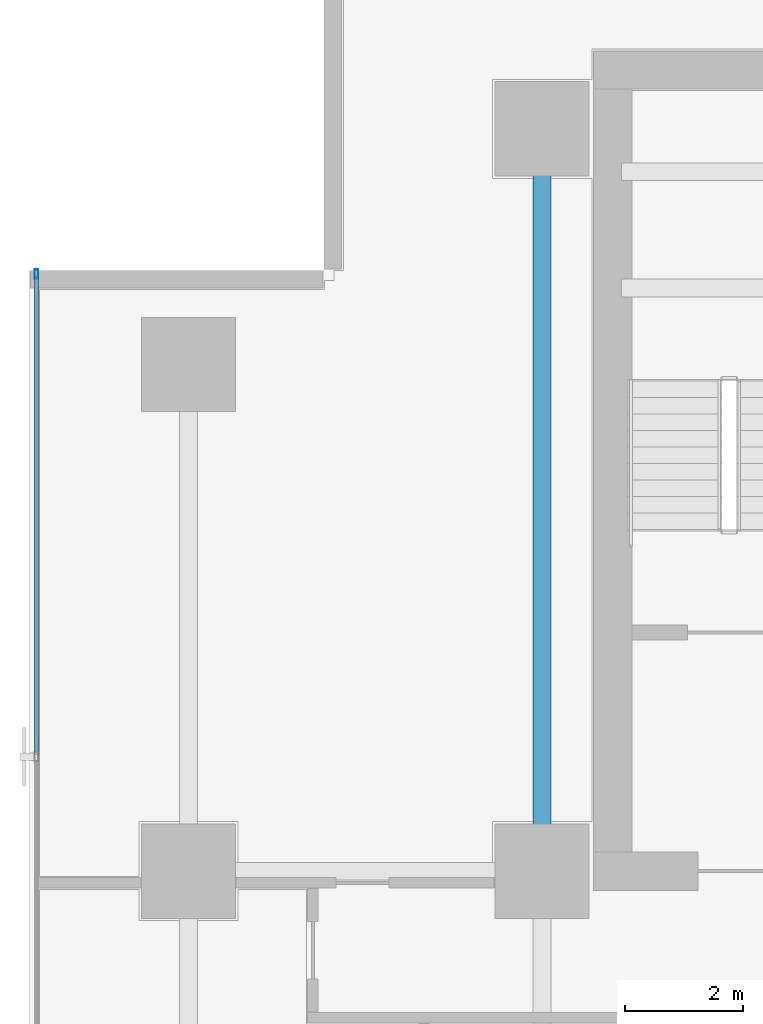
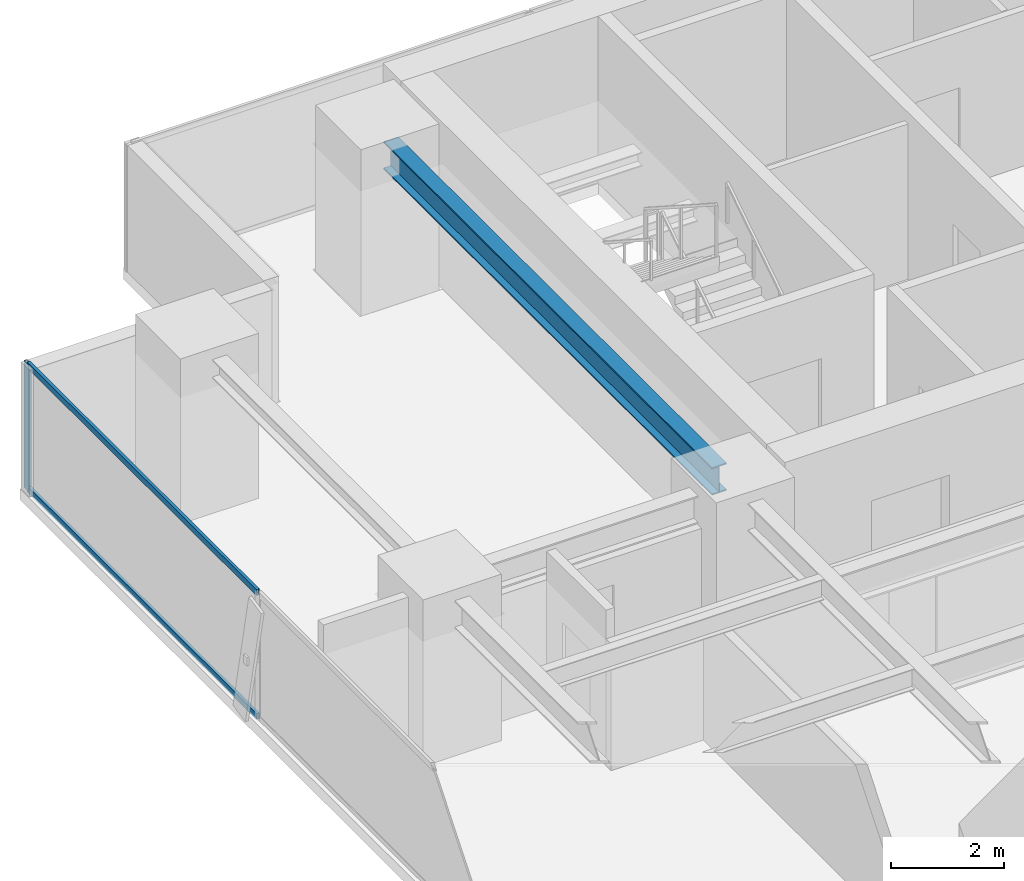
# One storey, part 18 of 36: 3 members, 1 beam, 1 element without a shape of its own.
"""IFC4 building model written with IfcOpenShell, lengths in metres."""

from ifc_helpers import new_model, si_unit, direction, frame, origin, origin_2d, place, context, subcontext, project, spatial, hollow_rectangle, i_section, extrude, source, transform, mapped, material, layer, layer_set, material_profile, profile_set, type_object, element, aggregate, save


model = new_model("IFC4")

# Units and contexts
model_context = context("Model", 3, precision=1e-05, world=origin(), true_north=direction((0.0, 1.0)))
body_context = subcontext(model_context, "Body", "Model", "MODEL_VIEW")
ifc_project = project(units=[si_unit("LENGTHUNIT", "METRE"), si_unit("AREAUNIT", "SQUARE_METRE"), si_unit("VOLUMEUNIT", "CUBIC_METRE"), si_unit("PLANEANGLEUNIT", "RADIAN"), si_unit("MASSUNIT", "GRAM", prefix="KILO")], contexts=[model_context])

# Site, building, storey
site_placement = place(None, origin())
site = spatial("IfcSite", under=ifc_project, at=site_placement, CompositionType="ELEMENT")
building_placement = place(site_placement, origin())
building = spatial("IfcBuilding", under=site, at=building_placement, Name="Sumidabori Civic Tower", CompositionType="ELEMENT")
storey_placement = place(building_placement, frame((0.0, 0.0, 113.60009765625)))
storey = spatial("IfcBuildingStorey", under=building, at=storey_placement, Name="L29", CompositionType="ELEMENT", Elevation=113.60009765625)

# Beam
ifc_material_1 = material(Name="Steel SN490", Category="steel")
ifc_material_profile_1 = material_profile(ifc_material_1, i_section(OverallWidth=0.300048828125, OverallDepth=0.60009765625, WebThickness=0.015380859375, FlangeThickness=0.030029296875, at=origin_2d()), Name="HE 600 B")
ifc_profile_set_1 = profile_set([ifc_material_profile_1], Name="Steel SN490")
beam_type = type_object("IfcBeamType", Name="BM-GIRD-600", PredefinedType="BEAM", material=ifc_profile_set_1)
shared_shape_1 = source(origin(), body_context, "Body", "SweptSolid", [
    extrude(i_section(OverallWidth=0.300048828125, OverallDepth=0.60009765625, WebThickness=0.015380859375, FlangeThickness=0.030029296875, at=origin_2d()), origin(), (0.0, 0.0, 1.0), 11.64013671875),
])
beam_placement = place(storey_placement, frame((-16.800048828125, 10.679931640625, 3.059814453125), z_axis=(0.0, 1.0, 0.0), x_axis=(-1.0, 0.0, 0.0)))
element("IfcBeam", 1, at=beam_placement, inside=storey, type_object=beam_type, Name="Primary Girder L29 GY-28", PredefinedType="BEAM", context=body_context, shape_type="MappedRepresentation", body=[
    mapped(shared_shape_1, transform((0.0, 0.0, 0.0), x_axis=(1.0, 0.0, 0.0), y_axis=(0.0, 1.0, 0.0), z_axis=(0.0, 0.0, 1.0), scale=1.0)),
])

# Curtain wall, members
ifc_material_2 = material(Name="Anodised Bronze Aluminium AW-6063-T6", Category="aluminium")
ifc_layer = layer(ifc_material_2, 0.179931640625, Name="Anodised Bronze Aluminium AW-6063-T6")
ifc_layer_set = layer_set([ifc_layer], Name="Anodised Bronze Aluminium AW-6063-T6")
curtain_wall_type = type_object("IfcCurtainWallType", Name="CW-SYS-3", PredefinedType="NOTDEFINED", material=ifc_layer_set)
curtain_wall_placement = place(storey_placement, origin())
curtain_wall = element("IfcCurtainWall", 2, at=curtain_wall_placement, inside=storey, type_object=curtain_wall_type, Name="Curtain Wall CW:L29:R10", PredefinedType="NOTDEFINED")
ifc_material_profile_2 = material_profile(ifc_material_2, hollow_rectangle(XDim=0.06494140625, YDim=0.159912109375, WallThickness=0.0048828125, at=origin_2d()), Name="ALU MULLION 160x65")
ifc_profile_set_2 = profile_set([ifc_material_profile_2], Name="Anodised Bronze Aluminium AW-6063-T6")
member_type_1 = type_object("IfcMemberType", Name="CW-MUL-160", PredefinedType="MULLION", material=ifc_profile_set_2)
shared_shape_2 = source(origin(), body_context, "Body", "SweptSolid", [
    extrude(hollow_rectangle(XDim=0.06494140625, YDim=0.159912109375, WallThickness=0.0048828125, at=origin_2d()), origin(), (0.0, 0.0, 1.0), 2.739990234375),
])
member_1_placement = place(storey_placement, frame((-25.3798828125, 20.33740234375, 0.0), z_axis=(0.0, 0.0, 1.0), x_axis=(1.0, 0.0, 0.0)))
member_1 = element("IfcMember", 3, at=member_1_placement, type_object=member_type_1, Name="CW-3 mullion 1", PredefinedType="MULLION", context=body_context, shape_type="MappedRepresentation", body=[
    mapped(shared_shape_2, transform((0.0, 0.0, 0.0), x_axis=(1.0, 0.0, 0.0), y_axis=(0.0, 1.0, 0.0), z_axis=(0.0, 0.0, 1.0), scale=1.0)),
])
ifc_material_profile_3 = material_profile(ifc_material_2, hollow_rectangle(XDim=0.06005859375, YDim=0.1298828125, WallThickness=0.0048828125, at=origin_2d()), Name="ALU TRANSOM 130x60")
ifc_profile_set_3 = profile_set([ifc_material_profile_3], Name="Anodised Bronze Aluminium AW-6063-T6")
member_type_2 = type_object("IfcMemberType", Name="CW-TRN-130", PredefinedType="USERDEFINED", material=ifc_profile_set_3)
shared_shape_3 = source(origin(), body_context, "Body", "SweptSolid", [
    extrude(hollow_rectangle(XDim=0.06005859375, YDim=0.1298828125, WallThickness=0.0048828125, at=origin_2d()), origin(), (0.0, 0.0, 1.0), 8.13037109375),
])
member_2_placement = place(storey_placement, frame((-25.3798828125, 20.304931640625, 0.02978515625), z_axis=(0.0, -1.0, 0.0), x_axis=(1.0, 0.0, 0.0)))
member_2 = element("IfcMember", 4, at=member_2_placement, type_object=member_type_2, Name="CW-3 transom 1.1", ObjectType="TRANSOM", PredefinedType="USERDEFINED", context=body_context, shape_type="MappedRepresentation", body=[
    mapped(shared_shape_3, transform((0.0, 0.0, 0.0), x_axis=(1.0, 0.0, 0.0), y_axis=(0.0, 1.0, 0.0), z_axis=(0.0, 0.0, 1.0), scale=1.0)),
])
member_3_placement = place(storey_placement, frame((-25.3798828125, 20.304931640625, 2.7099609375), z_axis=(0.0, -1.0, 0.0), x_axis=(1.0, 0.0, 0.0)))
member_3 = element("IfcMember", 5, at=member_3_placement, type_object=member_type_2, Name="CW-3 transom 1.2", ObjectType="TRANSOM", PredefinedType="USERDEFINED", context=body_context, shape_type="MappedRepresentation", body=[
    mapped(shared_shape_3, transform((0.0, 0.0, 0.0), x_axis=(1.0, 0.0, 0.0), y_axis=(0.0, 1.0, 0.0), z_axis=(0.0, 0.0, 1.0), scale=1.0)),
])
aggregate(curtain_wall, [member_1, member_2, member_3])

save(model, "model.ifc")
